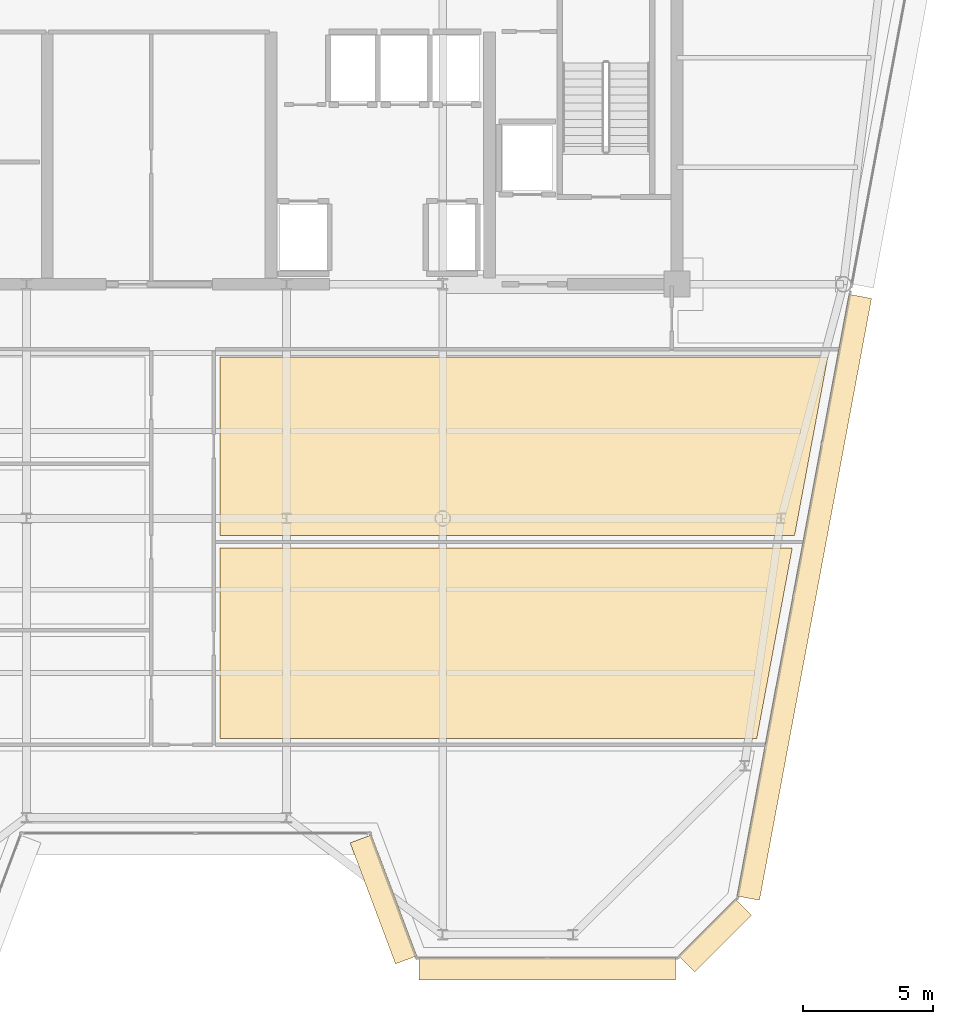
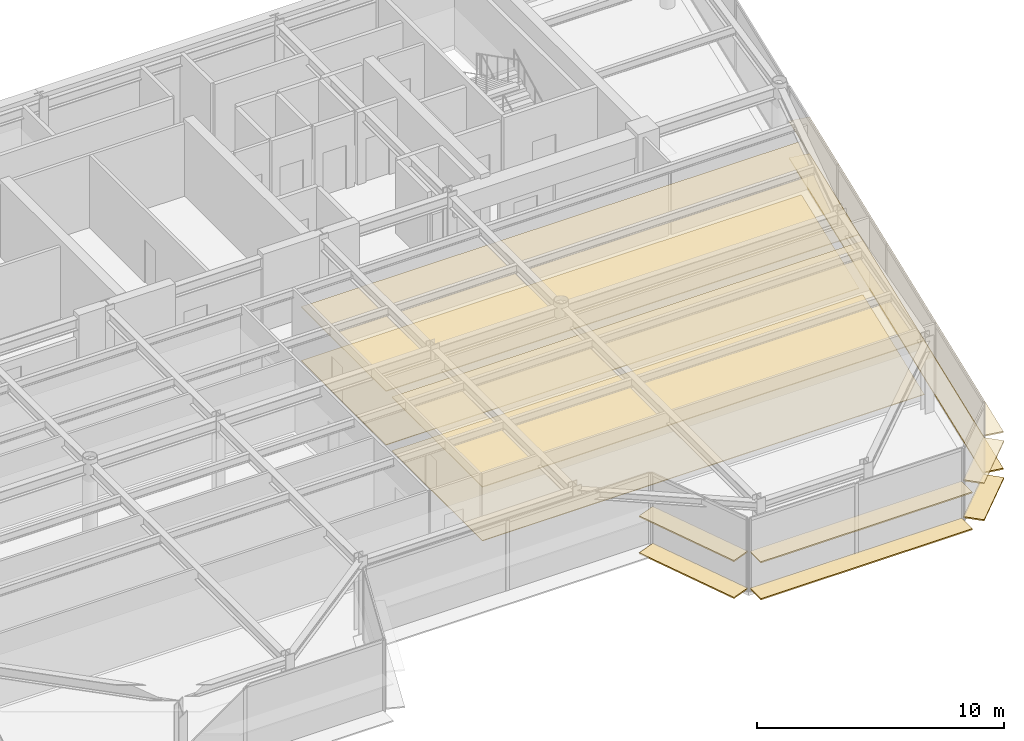
# One storey, part 14 of 18: 12 coverings.
"""IFC4 building model written with IfcOpenShell, lengths in metres."""

import ifcopenshell
import ifcopenshell.guid

model = None  # the IFC model being written
_history = None  # IfcOwnerHistory: only IFC2X3 demands one
_inside = {}  # id of a spatial element -> (the spatial element, [elements in it])
_under = {}  # id of a project, library or spatial element -> (it, [spatial elements below it])
_declared = {}  # id of a project -> (the project, [libraries it declares])
_typed = {}  # id of a type object -> (the type object, [elements of that type])
_made_of = {}  # id of a material, layer set ... -> (it, [elements and type objects made of it])


def new_model(schema):
    """Start an empty IFC model of exactly this schema.

    Asked for "IFC4X3", IfcOpenShell would pick the latest addendum, in which some entities
    have other attributes; the version numbers below select the first issue.
    IFC2X3 requires an IfcOwnerHistory on every rooted entity: one is made here for all.
    """
    global model, _history
    if schema == "IFC4X3":
        model = ifcopenshell.file(schema_version=(4, 3, 0, 0))
    else:
        model = ifcopenshell.file(schema=schema)
    _inside.clear()
    _under.clear()
    _declared.clear()
    _typed.clear()
    _made_of.clear()
    _history = None
    if model.schema == "IFC2X3":
        org = make("IfcOrganization", Name="unknown")
        user = make(
            "IfcPersonAndOrganization",
            ThePerson=make("IfcPerson", FamilyName="unknown"),
            TheOrganization=org,
        )
        app = make(
            "IfcApplication",
            ApplicationDeveloper=org,
            Version="unknown",
            ApplicationFullName="unknown",
            ApplicationIdentifier="unknown",
        )
        _history = make(
            "IfcOwnerHistory",
            OwningUser=user,
            OwningApplication=app,
            ChangeAction="ADDED",
            CreationDate=0,
        )
    return model


def make(cls, **values):
    """One entity of the class cls with the attributes given. An attribute that is None is left unset."""
    return model.create_entity(
        cls, **{name: value for name, value in values.items() if value is not None}
    )


def rooted(cls, **values):
    """An entity with a GlobalId (a new one), such as an element, a storey or a relation."""
    return make(cls, GlobalId=ifcopenshell.guid.new(), OwnerHistory=_history, **values)


def si_unit(unit_type, name, prefix=None):
    """IfcSIUnit, for example si_unit("LENGTHUNIT", "METRE", prefix="MILLI")."""
    return make("IfcSIUnit", UnitType=unit_type, Prefix=prefix, Name=name)


def assignment(units):
    """IfcUnitAssignment: the units of a project."""
    return None if units is None else make("IfcUnitAssignment", Units=units)


def point(xyz):
    """IfcCartesianPoint."""
    return None if xyz is None else make("IfcCartesianPoint", Coordinates=xyz)


def direction(xyz):
    """IfcDirection."""
    return None if xyz is None else make("IfcDirection", DirectionRatios=xyz)


def frame(location, z_axis=None, x_axis=None):
    """IfcAxis2Placement3D, a coordinate frame: its origin and axes. An axis left out is left unset."""
    return make(
        "IfcAxis2Placement3D",
        Location=point(location),
        Axis=direction(z_axis),
        RefDirection=direction(x_axis),
    )


def frame_2d(location, x_axis=None):
    """IfcAxis2Placement2D, a coordinate frame in the plane: its origin and x axis."""
    return make(
        "IfcAxis2Placement2D", Location=point(location), RefDirection=direction(x_axis)
    )


def origin():
    """The frame at (0, 0, 0) with its axes left unset."""
    return frame((0.0, 0.0, 0.0))


def origin_2d():
    """The frame at (0, 0) in the plane with its x axis left unset."""
    return frame_2d((0.0, 0.0))


def place(relative_to, where):
    """IfcLocalPlacement: puts the frame where relative to a parent placement (None: the world)."""
    return make(
        "IfcLocalPlacement", PlacementRelTo=relative_to, RelativePlacement=where
    )


def context(
    kind, dimensions, precision=None, world=None, true_north=None, identifier=None
):
    """IfcGeometricRepresentationContext, for example the 3D "Model" context."""
    return make(
        "IfcGeometricRepresentationContext",
        ContextIdentifier=identifier,
        ContextType=kind,
        CoordinateSpaceDimension=dimensions,
        Precision=precision,
        WorldCoordinateSystem=world,
        TrueNorth=true_north,
    )


def subcontext(parent, identifier, kind, view, scale=None):
    """IfcGeometricRepresentationSubContext, for example "Body" below "Model"."""
    return make(
        "IfcGeometricRepresentationSubContext",
        ContextIdentifier=identifier,
        ContextType=kind,
        ParentContext=parent,
        TargetScale=scale,
        TargetView=view,
    )


def project(units=None, contexts=None):
    """IfcProject with its units and contexts."""
    return rooted(
        "IfcProject",
        Name="project",
        RepresentationContexts=contexts,
        UnitsInContext=assignment(units),
    )


def spatial(cls, under=None, at=None, **own):
    """A site, building, storey or space (cls), placed at a placement, below another one or the project."""
    s = rooted(cls, ObjectPlacement=at, **own)
    if under is not None:
        _under.setdefault(under.id(), (under, []))[1].append(s)
    return s


def polyline(points):
    """IfcPolyline through the points."""
    return make("IfcPolyline", Points=[point(p) for p in points])


def profile(cls, at=None, kind="AREA", **sizes):
    """A parametric profile (cls). Its sizes go by their IFC names, for example OverallWidth=200.0."""
    return make(cls, ProfileType=kind, Position=at, **sizes)


def rectangle(**sizes):
    """IfcRectangleProfileDef."""
    return profile("IfcRectangleProfileDef", **sizes)


def outline(outer, holes=None, kind="AREA"):
    """IfcArbitraryClosedProfileDef: a profile drawn as a closed curve; with holes, ...WithVoids."""
    if holes is None:
        return make("IfcArbitraryClosedProfileDef", ProfileType=kind, OuterCurve=outer)
    return make(
        "IfcArbitraryProfileDefWithVoids",
        ProfileType=kind,
        OuterCurve=outer,
        InnerCurves=holes,
    )


def extrude(swept, where, along, depth):
    """IfcExtrudedAreaSolid: the profile swept, set in the frame where, extruded along a direction by depth."""
    return make(
        "IfcExtrudedAreaSolid",
        SweptArea=swept,
        Position=where,
        ExtrudedDirection=direction(along),
        Depth=depth,
    )


def shape(context_of_items, identifier, shape_type, items):
    """IfcShapeRepresentation: the items that make up one representation, for example the "Body"."""
    return make(
        "IfcShapeRepresentation",
        ContextOfItems=context_of_items,
        RepresentationIdentifier=identifier,
        RepresentationType=shape_type,
        Items=items,
    )


def source(mapping_origin, context_of_items, identifier, shape_type, items):
    """IfcRepresentationMap: a shape defined once, which mapped items show again and again."""
    return make(
        "IfcRepresentationMap",
        MappingOrigin=mapping_origin,
        MappedRepresentation=shape(context_of_items, identifier, shape_type, items),
    )


def transform(
    local_origin,
    x_axis=None,
    y_axis=None,
    z_axis=None,
    scale=None,
    scale2=None,
    scale3=None,
    uniform=True,
):
    """IfcCartesianTransformationOperator3D, or its non-uniform kind. x_axis, y_axis, z_axis: its Axis1, 2, 3."""
    if uniform:
        return make(
            "IfcCartesianTransformationOperator3D",
            Axis1=direction(x_axis),
            Axis2=direction(y_axis),
            LocalOrigin=point(local_origin),
            Scale=scale,
            Axis3=direction(z_axis),
        )
    return make(
        "IfcCartesianTransformationOperator3DnonUniform",
        Axis1=direction(x_axis),
        Axis2=direction(y_axis),
        LocalOrigin=point(local_origin),
        Scale=scale,
        Axis3=direction(z_axis),
        Scale2=scale2,
        Scale3=scale3,
    )


def mapped(mapping_source, mapping_target):
    """IfcMappedItem: shows the shape of a source again, moved by a transform."""
    return make(
        "IfcMappedItem", MappingSource=mapping_source, MappingTarget=mapping_target
    )


def material(Name=None, Category=None):
    """IfcMaterial."""
    return make("IfcMaterial", Name=Name, Category=Category)


def layer(
    of_material, thickness, ventilated=None, Name=None, Category=None, Priority=None
):
    """IfcMaterialLayer: one layer of a wall or slab, of a material (None: an air gap)."""
    return make(
        "IfcMaterialLayer",
        Material=of_material,
        LayerThickness=thickness,
        IsVentilated=ventilated,
        Name=Name,
        Category=Category,
        Priority=Priority,
    )


def layer_set(layers, Name=None):
    """IfcMaterialLayerSet."""
    return make("IfcMaterialLayerSet", MaterialLayers=layers, LayerSetName=Name)


def made_of(thing, what):
    """Note that an element or type object is made of a material, layer set ...; save() writes the relation."""
    if what is not None:
        _made_of.setdefault(what.id(), (what, []))[1].append(thing)
    return thing


def type_object(cls, material=None, **own):
    """A type object (cls), such as IfcWallType, which elements share."""
    return made_of(rooted(cls, **own), material)


def element(
    cls,
    number,
    at=None,
    inside=None,
    cuts=None,
    type_object=None,
    material=None,
    context=None,
    identifier="Body",
    shape_type=None,
    held_by="IfcProductDefinitionShape",
    body=None,
    shapes=None,
    **own,
):
    """One element of the class cls, such as IfcWall. Its Tag is "e" and its number.

    at: its placement. inside: the storey or other place that contains it. cuts: it is an
    opening in that element (IfcRelVoidsElement). A single representation is given by context,
    identifier, shape_type and body (its items); several are given by shapes. held_by: the class
    of the entity that holds the representations. save() writes the other relations.
    """
    e = rooted(cls, Tag="e%d" % number, ObjectPlacement=at, **own)
    if body is not None:
        shapes = [shape(context, identifier, shape_type, body)]
    if shapes is not None:
        e.Representation = make(held_by, Representations=shapes)
    if inside is not None:
        _inside.setdefault(inside.id(), (inside, []))[1].append(e)
    if cuts is not None:
        rooted(
            "IfcRelVoidsElement", RelatingBuildingElement=cuts, RelatedOpeningElement=e
        )
    if type_object is not None:
        _typed.setdefault(type_object.id(), (type_object, []))[1].append(e)
    return made_of(e, material)


def aggregate(whole, parts):
    """IfcRelAggregates: a whole, such as a stair, and the parts it consists of."""
    return rooted("IfcRelAggregates", RelatingObject=whole, RelatedObjects=parts)


def save(model, path):
    """Write the relations noted so far, then the file.

    IfcRelAggregates (storeys below a building ...), IfcRelContainedInSpatialStructure (elements
    in a storey), IfcRelDefinesByType, IfcRelAssociatesMaterial and IfcRelDeclares: one each for
    every whole, place, type object, material and project.
    """
    for whole, parts in _under.values():
        aggregate(whole, parts)
    for where, things in _inside.values():
        rooted(
            "IfcRelContainedInSpatialStructure",
            RelatedElements=things,
            RelatingStructure=where,
        )
    for kind, things in _typed.values():
        rooted("IfcRelDefinesByType", RelatedObjects=things, RelatingType=kind)
    for what, things in _made_of.values():
        rooted("IfcRelAssociatesMaterial", RelatedObjects=things, RelatingMaterial=what)
    for by, libraries in _declared.values():
        rooted("IfcRelDeclares", RelatingContext=by, RelatedDefinitions=libraries)
    model.write(path)


model = new_model("IFC4")

# Units and contexts
model_context = context("Model", 3, precision=1e-05, world=origin(), true_north=direction((0.0, 1.0)))
body_context = subcontext(model_context, "Body", "Model", "MODEL_VIEW")
ifc_project = project(units=[si_unit("LENGTHUNIT", "METRE"), si_unit("AREAUNIT", "SQUARE_METRE"), si_unit("VOLUMEUNIT", "CUBIC_METRE"), si_unit("PLANEANGLEUNIT", "RADIAN"), si_unit("MASSUNIT", "GRAM", prefix="KILO")], contexts=[model_context])

# Site, building, storey
site_placement = place(None, origin())
site = spatial("IfcSite", under=ifc_project, at=site_placement, CompositionType="ELEMENT")
building_placement = place(site_placement, origin())
building = spatial("IfcBuilding", under=site, at=building_placement, Name="Vaeldorn Concourse Tower", CompositionType="ELEMENT")
storey_placement = place(building_placement, frame((0.0, 0.0, 257.39990234375)))
storey = spatial("IfcBuildingStorey", under=building, at=storey_placement, Name="L66", CompositionType="ELEMENT", Elevation=257.39990234375)

# Coverings
ifc_material_1 = material(Name="Acoustic Mineral Fibre Board", Category="gypsum")
ifc_layer_1 = layer(ifc_material_1, 0.0400390625)
ifc_layer_set_1 = layer_set([ifc_layer_1], Name="Acoustic Mineral Fibre Board")
covering_type_1 = type_object("IfcCoveringType", Name="COV-CEIL-ACOUSTIC", PredefinedType="CEILING", material=ifc_layer_set_1)
covering_1_placement = place(storey_placement, frame((0.0, 0.0, 2.650146484375)))
element("IfcCovering", 1, at=covering_1_placement, inside=storey, type_object=covering_type_1, Name="Suspended Acoustic Ceiling L66-8", PredefinedType="CEILING", context=body_context, shape_type="SweptSolid", body=[
    extrude(outline(polyline([(36.43994140625, 19.0400390625), (36.43994140625, 26.360107421875), (58.433349609375, 26.360107421875), (57.0703125, 19.0400390625), (36.43994140625, 19.0400390625)])), origin(), (0.0, 0.0, 1.0), 0.0400390625),
])
covering_2_placement = place(storey_placement, frame((0.0, 0.0, 2.650146484375)))
element("IfcCovering", 2, at=covering_2_placement, inside=storey, type_object=covering_type_1, Name="Suspended Acoustic Ceiling L66-9", PredefinedType="CEILING", context=body_context, shape_type="SweptSolid", body=[
    extrude(outline(polyline([(36.43994140625, 26.840087890625), (36.43994140625, 33.699951171875), (59.800048828125, 33.699951171875), (58.522705078125, 26.840087890625), (36.43994140625, 26.840087890625)])), origin(), (0.0, 0.0, 1.0), 0.0400390625),
])
ifc_material_2 = material(Name="Honed Limestone Terrazzo Flooring", Category="masonry")
ifc_layer_2 = layer(ifc_material_2, 0.0400390625)
ifc_layer_set_2 = layer_set([ifc_layer_2], Name="Honed Limestone Terrazzo Flooring")
covering_type_2 = type_object("IfcCoveringType", Name="COV-FLOOR-STONE", PredefinedType="FLOORING", material=ifc_layer_set_2)
covering_3_placement = place(storey_placement, origin())
element("IfcCovering", 3, at=covering_3_placement, inside=storey, type_object=covering_type_2, Name="Floor Finish Covering L66-8", PredefinedType="FLOORING", context=body_context, shape_type="SweptSolid", body=[
    extrude(outline(polyline([(36.43994140625, 19.0400390625), (36.43994140625, 26.360107421875), (58.433349609375, 26.360107421875), (57.0703125, 19.0400390625), (36.43994140625, 19.0400390625)])), origin(), (0.0, 0.0, 1.0), 0.030029296875),
])
covering_4_placement = place(storey_placement, origin())
element("IfcCovering", 4, at=covering_4_placement, inside=storey, type_object=covering_type_2, Name="Floor Finish Covering L66-9", PredefinedType="FLOORING", context=body_context, shape_type="SweptSolid", body=[
    extrude(outline(polyline([(36.43994140625, 26.840087890625), (36.43994140625, 33.699951171875), (59.800048828125, 33.699951171875), (58.522705078125, 26.840087890625), (36.43994140625, 26.840087890625)])), origin(), (0.0, 0.0, 1.0), 0.030029296875),
])
ifc_material_3 = material(Name="Anodised Bronze Aluminium", Category="aluminium")
ifc_layer_3 = layer(ifc_material_3, 0.06494140625)
ifc_layer_set_3 = layer_set([ifc_layer_3], Name="Anodised Bronze Aluminium")
covering_type_3 = type_object("IfcCoveringType", Name="SD-BRONZE-SUNSHADE", PredefinedType="USERDEFINED", material=ifc_layer_set_3)
shared_shape_1 = source(origin(), body_context, "Body", "SweptSolid", [
    extrude(rectangle(XDim=4.96630859375, YDim=0.8798828125, at=origin_2d()), origin(), (0.0, 0.0, 1.0), 0.06494140625),
])
for number, where, z_axis, x_axis, name in (
    (5, (42.7255859375, 12.859619140625, 0.047607421875), (0.0, 0.0, 1.0), (0.351122702609, -0.936329454686, 0.0), "Horizontal Bronze Sunshade L66-E04.1.1"),
    (6, (42.7255859375, 12.859619140625, 1.86767578125), (0.0, 0.0, 1.0), (0.351122702609, -0.936329454686, 0.0), "Horizontal Bronze Sunshade L66-E04.1.2"),
):
    element("IfcCovering", number, at=place(storey_placement, frame(where, z_axis=z_axis, x_axis=x_axis)), inside=storey, type_object=covering_type_3, Name=name, ObjectType="SUNSHADE", PredefinedType="USERDEFINED", context=body_context, shape_type="MappedRepresentation", body=[
        mapped(shared_shape_1, transform((0.0, 0.0, 0.0), scale=1.0)),
    ])
shared_shape_2 = source(origin(), body_context, "Body", "SweptSolid", [
    extrude(rectangle(XDim=3.0927734375, YDim=0.8798828125, at=origin_2d()), origin(), (0.0, 0.0, 1.0), 0.06494140625),
])
for number, where, z_axis, x_axis, name in (
    (7, (55.466796875, 11.46728515625, 0.047607421875), (0.0, 0.0, 1.0), (0.707106781187, 0.707106781187, 0.0), "Horizontal Bronze Sunshade L66-E06.1.1"),
    (8, (55.466796875, 11.46728515625, 1.86767578125), (0.0, 0.0, 1.0), (0.707106781187, 0.707106781187, 0.0), "Horizontal Bronze Sunshade L66-E06.1.2"),
):
    element("IfcCovering", number, at=place(storey_placement, frame(where, z_axis=z_axis, x_axis=x_axis)), inside=storey, type_object=covering_type_3, Name=name, ObjectType="SUNSHADE", PredefinedType="USERDEFINED", context=body_context, shape_type="MappedRepresentation", body=[
        mapped(shared_shape_2, transform((0.0, 0.0, 0.0), scale=1.0)),
    ])
shared_shape_3 = source(origin(), body_context, "Body", "SweptSolid", [
    extrude(rectangle(XDim=23.525146484375, YDim=0.8798828125, at=origin_2d()), origin(), (0.0, 0.0, 1.0), 0.06494140625),
])
for number, where, z_axis, x_axis, name in (
    (9, (58.89501953125, 24.46923828125, 0.047607421875), (0.0, 0.0, 1.0), (0.183059191151, 0.983101893262, 0.0), "Horizontal Bronze Sunshade L66-E07.1.1"),
    (10, (58.89501953125, 24.46923828125, 1.86767578125), (0.0, 0.0, 1.0), (0.183059191151, 0.983101893262, 0.0), "Horizontal Bronze Sunshade L66-E07.1.2"),
):
    element("IfcCovering", number, at=place(storey_placement, frame(where, z_axis=z_axis, x_axis=x_axis)), inside=storey, type_object=covering_type_3, Name=name, ObjectType="SUNSHADE", PredefinedType="USERDEFINED", context=body_context, shape_type="MappedRepresentation", body=[
        mapped(shared_shape_3, transform((0.0, 0.0, 0.0), scale=1.0)),
    ])
shared_shape_4 = source(origin(), body_context, "Body", "SweptSolid", [
    extrude(rectangle(XDim=9.8740234375, YDim=0.8798828125, at=origin_2d()), origin(), (0.0, 0.0, 1.0), 0.06494140625),
])
for number, where, z_axis, x_axis, name in (
    (11, (49.01708984375, 10.199951171875, 0.047607421875), (0.0, 0.0, 1.0), (1.0, 0.0, 0.0), "Horizontal Bronze Sunshade L66-E05.1.1"),
    (12, (49.01708984375, 10.199951171875, 1.86767578125), (0.0, 0.0, 1.0), (1.0, 0.0, 0.0), "Horizontal Bronze Sunshade L66-E05.1.2"),
):
    element("IfcCovering", number, at=place(storey_placement, frame(where, z_axis=z_axis, x_axis=x_axis)), inside=storey, type_object=covering_type_3, Name=name, ObjectType="SUNSHADE", PredefinedType="USERDEFINED", context=body_context, shape_type="MappedRepresentation", body=[
        mapped(shared_shape_4, transform((0.0, 0.0, 0.0), scale=1.0)),
    ])

save(model, "model.ifc")
